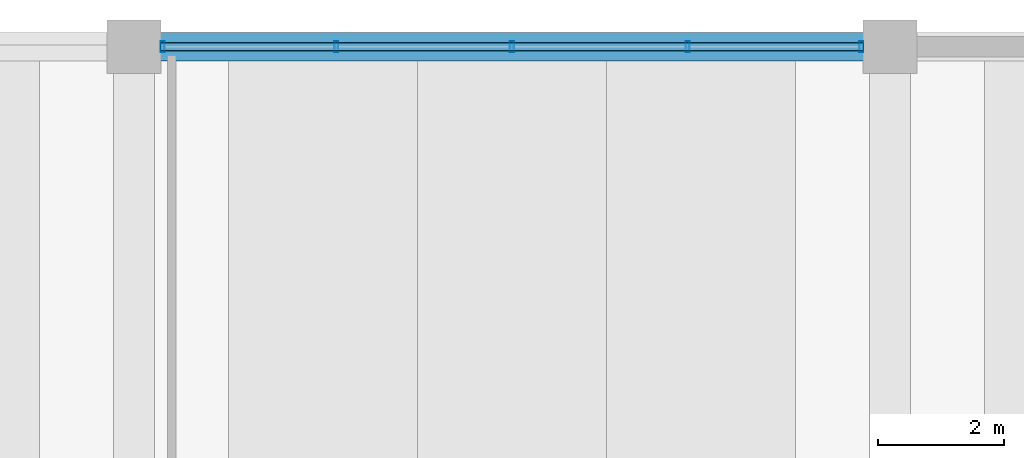
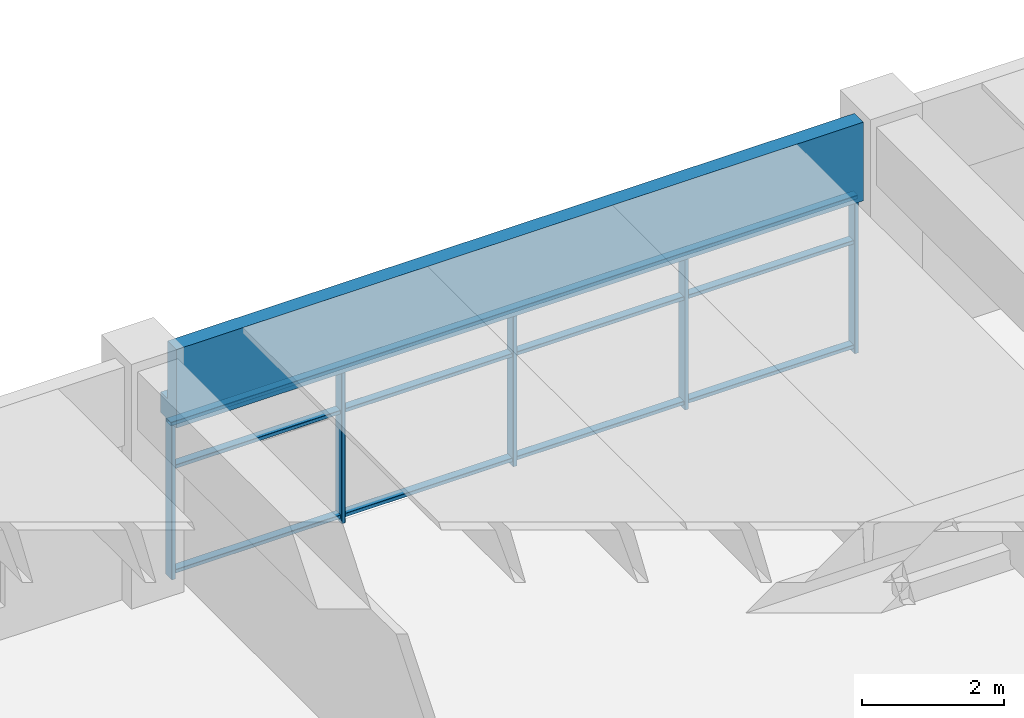
# One storey, part 14 of 50: 8 members, 1 beam, 1 element without a shape of its own.
"""IFC4 building model written with IfcOpenShell, lengths in metres."""

from ifc_helpers import new_model, si_unit, direction, frame, origin, origin_2d, place, context, subcontext, project, spatial, polyline, hollow_rectangle, outline, extrude, material, material_profile, profile_set, type_object, element, aggregate, save


model = new_model("IFC4")

# Units and contexts
model_context = context("Model", 3, precision=1e-05, world=origin(), true_north=direction((0.0, 1.0)))
body_context = subcontext(model_context, "Body", "Model", "MODEL_VIEW")
ifc_project = project(units=[si_unit("LENGTHUNIT", "METRE"), si_unit("AREAUNIT", "SQUARE_METRE"), si_unit("VOLUMEUNIT", "CUBIC_METRE"), si_unit("PLANEANGLEUNIT", "RADIAN"), si_unit("MASSUNIT", "GRAM", prefix="KILO")], contexts=[model_context])

# Site, building, storey
site_placement = place(None, origin())
site = spatial("IfcSite", under=ifc_project, at=site_placement, CompositionType="ELEMENT")
building_placement = place(site_placement, origin())
building = spatial("IfcBuilding", under=site, at=building_placement, Name="Girod Span Mobility Hub", CompositionType="ELEMENT")
storey_placement = place(building_placement, frame((0.0, 0.0, 5.39990234375)))
storey = spatial("IfcBuildingStorey", under=building, at=storey_placement, Name="L01", CompositionType="ELEMENT", Elevation=5.39990234375)

# Beam
ifc_material_1 = material(Name="Concrete C40/50", Category="concrete")
ifc_material_profile_1 = material_profile(ifc_material_1, outline(polyline([(-0.22509765625, -0.675048828125), (0.22509765625, -0.675048828125), (0.22509765625, -0.324951171875), (0.02490234375, -0.324951171875), (0.02490234375, 0.675048828125), (-0.22509765625, 0.675048828125), (-0.22509765625, -0.675048828125)])), Name="SP-450X1350")
ifc_profile_set_1 = profile_set([ifc_material_profile_1], Name="Concrete C40/50")
beam_type = type_object("IfcBeamType", Name="BM-SP-450X1350", PredefinedType="SPANDREL", material=ifc_profile_set_1)
beam_placement = place(storey_placement, frame((12.422119140625, 114.0, 3.364990234375), z_axis=(1.0, 0.0, 0.0), x_axis=(0.0, 1.0, 0.0)))
element("IfcBeam", 1, at=beam_placement, inside=storey, type_object=beam_type, Name="Girder 2-3/J L01", PredefinedType="SPANDREL", context=body_context, shape_type="SweptSolid", body=[
    extrude(outline(polyline([(-0.22509765625, -0.675048828125), (0.22509765625, -0.675048828125), (0.22509765625, -0.324951171875), (0.02490234375, -0.324951171875), (0.02490234375, 0.675048828125), (-0.22509765625, 0.675048828125), (-0.22509765625, -0.675048828125)])), origin(), (0.0, 0.0, 1.0), 11.15576171875),
])

# Curtain wall, members
ifc_material_2 = material(Name="Thermally Broken Anodised Aluminium", Category="aluminium")
curtain_wall_type = type_object("IfcCurtainWallType", Name="CW-1115X269", PredefinedType="USERDEFINED", material=ifc_material_2)
curtain_wall_placement = place(storey_placement, origin())
curtain_wall = element("IfcCurtainWall", 2, at=curtain_wall_placement, inside=storey, type_object=curtain_wall_type, Name="Concourse Storefront CW-L01-N02 L01", ObjectType="CONCOURSE STOREFRONT", PredefinedType="USERDEFINED")
ifc_material_3 = material(Name="Thermally Broken Anodised Aluminium", Category="aluminium")
ifc_material_profile_2 = material_profile(ifc_material_3, hollow_rectangle(XDim=0.179931640625, YDim=0.06494140625, WallThickness=0.00390625, InnerFilletRadius=0.00390625, OuterFilletRadius=0.008056640625, at=origin_2d()), Name="CW-ML-65X180")
ifc_profile_set_2 = profile_set([ifc_material_profile_2], Name="Thermally Broken Anodised Aluminium")
member_type_1 = type_object("IfcMemberType", Name="CWM-ML-2", PredefinedType="MULLION", material=ifc_profile_set_2)
member_1_placement = place(storey_placement, frame((12.455078125, 114.0, 0.0), z_axis=(0.0, 0.0, 1.0), x_axis=(0.0, 1.0, 0.0)))
member_1 = element("IfcMember", 3, at=member_1_placement, type_object=member_type_1, Name="Curtain Wall Mullion CW-L01-N02-M0", PredefinedType="MULLION", context=body_context, shape_type="SweptSolid", body=[
    extrude(hollow_rectangle(XDim=0.179931640625, YDim=0.06494140625, WallThickness=0.00390625, InnerFilletRadius=0.00390625, OuterFilletRadius=0.008056640625, at=origin_2d()), origin(), (0.0, 0.0, 1.0), 2.690185546875),
])
member_2_placement = place(storey_placement, frame((15.21142578125, 114.0, 0.0), z_axis=(0.0, 0.0, 1.0), x_axis=(0.0, 1.0, 0.0)))
member_2 = element("IfcMember", 4, at=member_2_placement, type_object=member_type_1, Name="Curtain Wall Mullion CW-L01-N02-M1", PredefinedType="MULLION", context=body_context, shape_type="SweptSolid", body=[
    extrude(hollow_rectangle(XDim=0.179931640625, YDim=0.06494140625, WallThickness=0.00390625, InnerFilletRadius=0.00390625, OuterFilletRadius=0.008056640625, at=origin_2d()), origin(), (0.0, 0.0, 1.0), 2.690185546875),
])
member_3_placement = place(storey_placement, frame((18.0, 114.0, 0.0), z_axis=(0.0, 0.0, 1.0), x_axis=(0.0, 1.0, 0.0)))
member_3 = element("IfcMember", 5, at=member_3_placement, type_object=member_type_1, Name="Curtain Wall Mullion CW-L01-N02-M2", PredefinedType="MULLION", context=body_context, shape_type="SweptSolid", body=[
    extrude(hollow_rectangle(XDim=0.179931640625, YDim=0.06494140625, WallThickness=0.00390625, InnerFilletRadius=0.00390625, OuterFilletRadius=0.008056640625, at=origin_2d()), origin(), (0.0, 0.0, 1.0), 2.690185546875),
])
member_4_placement = place(storey_placement, frame((20.78857421875, 114.0, 0.0), z_axis=(0.0, 0.0, 1.0), x_axis=(0.0, 1.0, 0.0)))
member_4 = element("IfcMember", 6, at=member_4_placement, type_object=member_type_1, Name="Curtain Wall Mullion CW-L01-N02-M3", PredefinedType="MULLION", context=body_context, shape_type="SweptSolid", body=[
    extrude(hollow_rectangle(XDim=0.179931640625, YDim=0.06494140625, WallThickness=0.00390625, InnerFilletRadius=0.00390625, OuterFilletRadius=0.008056640625, at=origin_2d()), origin(), (0.0, 0.0, 1.0), 2.690185546875),
])
member_5_placement = place(storey_placement, frame((23.544921875, 114.0, 0.0), z_axis=(0.0, 0.0, 1.0), x_axis=(0.0, 1.0, 0.0)))
member_5 = element("IfcMember", 7, at=member_5_placement, type_object=member_type_1, Name="Curtain Wall Mullion CW-L01-N02-M4", PredefinedType="MULLION", context=body_context, shape_type="SweptSolid", body=[
    extrude(hollow_rectangle(XDim=0.179931640625, YDim=0.06494140625, WallThickness=0.00390625, InnerFilletRadius=0.00390625, OuterFilletRadius=0.008056640625, at=origin_2d()), origin(), (0.0, 0.0, 1.0), 2.690185546875),
])
ifc_material_4 = material(Name="Thermally Broken Anodised Aluminium", Category="aluminium")
ifc_material_profile_3 = material_profile(ifc_material_4, hollow_rectangle(XDim=0.135009765625, YDim=0.06494140625, WallThickness=0.00390625, InnerFilletRadius=0.00390625, OuterFilletRadius=0.008056640625, at=origin_2d()), Name="CW-TR-65X135")
ifc_profile_set_3 = profile_set([ifc_material_profile_3], Name="Thermally Broken Anodised Aluminium")
member_type_2 = type_object("IfcMemberType", Name="CWM-TR-2", PredefinedType="USERDEFINED", material=ifc_profile_set_3)
member_6_placement = place(storey_placement, frame((12.423095703125, 114.0, 0.107666015625), z_axis=(1.0, 0.0, 0.0), x_axis=(0.0, 1.0, 0.0)))
member_6 = element("IfcMember", 8, at=member_6_placement, type_object=member_type_2, Name="Curtain Wall Transom CW-L01-N02-T1", ObjectType="TRANSOM", PredefinedType="USERDEFINED", context=body_context, shape_type="SweptSolid", body=[
    extrude(hollow_rectangle(XDim=0.135009765625, YDim=0.06494140625, WallThickness=0.00390625, InnerFilletRadius=0.00390625, OuterFilletRadius=0.008056640625, at=origin_2d()), origin(), (0.0, 0.0, 1.0), 11.15380859375),
])
member_7_placement = place(storey_placement, frame((12.423095703125, 114.0, 1.904296875), z_axis=(1.0, 0.0, 0.0), x_axis=(0.0, 1.0, 0.0)))
member_7 = element("IfcMember", 9, at=member_7_placement, type_object=member_type_2, Name="Curtain Wall Transom CW-L01-N02-T2", ObjectType="TRANSOM", PredefinedType="USERDEFINED", context=body_context, shape_type="SweptSolid", body=[
    extrude(hollow_rectangle(XDim=0.135009765625, YDim=0.06494140625, WallThickness=0.00390625, InnerFilletRadius=0.00390625, OuterFilletRadius=0.008056640625, at=origin_2d()), origin(), (0.0, 0.0, 1.0), 11.15380859375),
])
member_8_placement = place(storey_placement, frame((12.423095703125, 114.0, 2.65771484375), z_axis=(1.0, 0.0, 0.0), x_axis=(0.0, 1.0, 0.0)))
member_8 = element("IfcMember", 10, at=member_8_placement, type_object=member_type_2, Name="Curtain Wall Transom CW-L01-N02-T3", ObjectType="TRANSOM", PredefinedType="USERDEFINED", context=body_context, shape_type="SweptSolid", body=[
    extrude(hollow_rectangle(XDim=0.135009765625, YDim=0.06494140625, WallThickness=0.00390625, InnerFilletRadius=0.00390625, OuterFilletRadius=0.008056640625, at=origin_2d()), origin(), (0.0, 0.0, 1.0), 11.15380859375),
])
aggregate(curtain_wall, [member_1, member_2, member_3, member_4, member_5, member_6, member_7, member_8])

save(model, "model.ifc")
